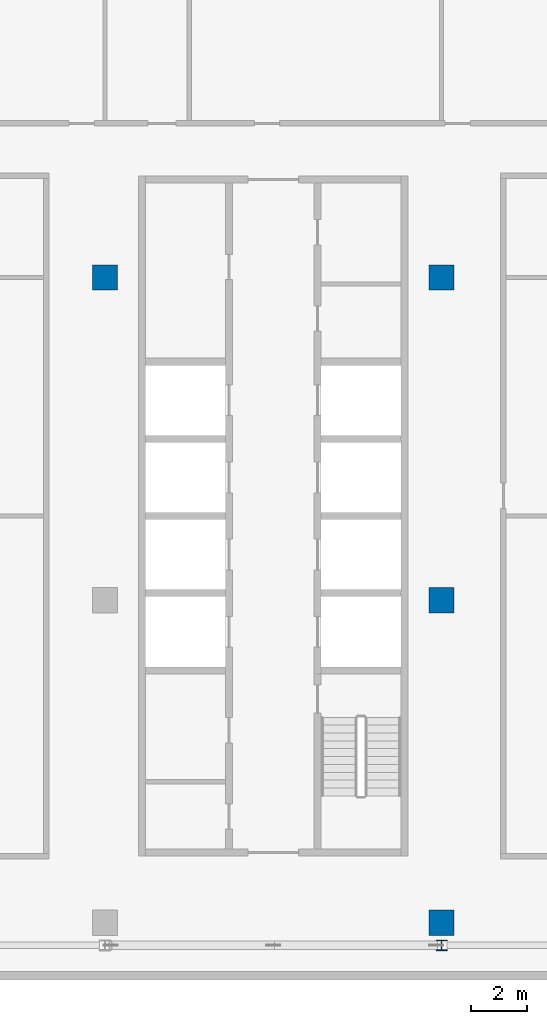
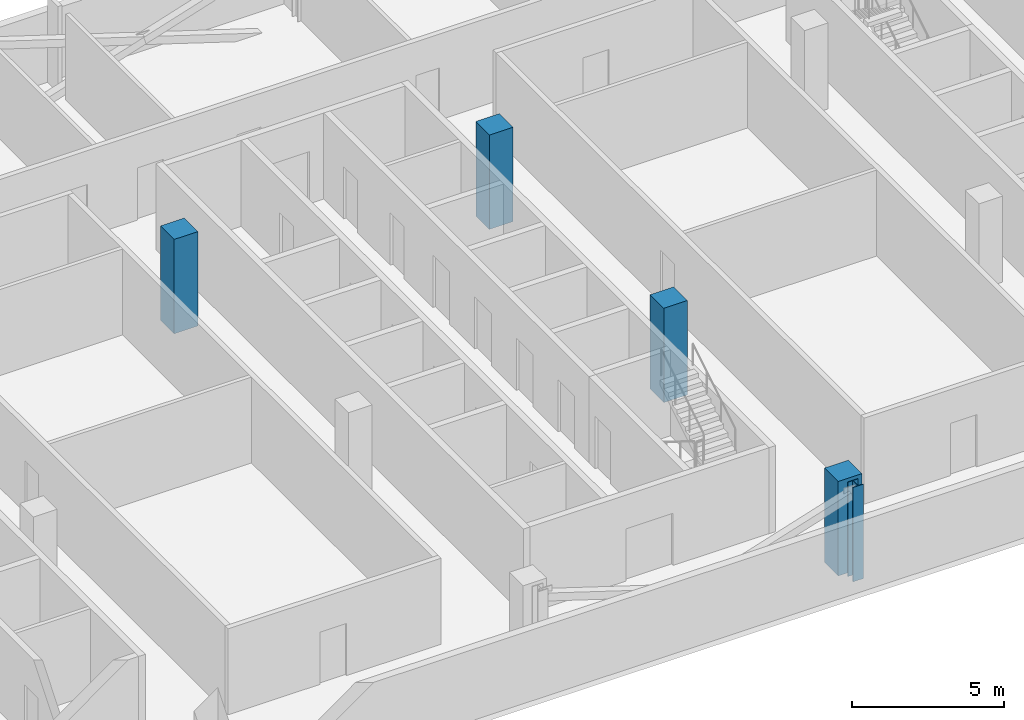
# One storey, part 2 of 28: 5 columns.
"""IFC4 building model written with IfcOpenShell, lengths in metres."""

import ifcopenshell
import ifcopenshell.guid

model = None  # the IFC model being written
_history = None  # IfcOwnerHistory: only IFC2X3 demands one
_inside = {}  # id of a spatial element -> (the spatial element, [elements in it])
_under = {}  # id of a project, library or spatial element -> (it, [spatial elements below it])
_declared = {}  # id of a project -> (the project, [libraries it declares])
_typed = {}  # id of a type object -> (the type object, [elements of that type])
_made_of = {}  # id of a material, layer set ... -> (it, [elements and type objects made of it])


def new_model(schema):
    """Start an empty IFC model of exactly this schema.

    Asked for "IFC4X3", IfcOpenShell would pick the latest addendum, in which some entities
    have other attributes; the version numbers below select the first issue.
    IFC2X3 requires an IfcOwnerHistory on every rooted entity: one is made here for all.
    """
    global model, _history
    if schema == "IFC4X3":
        model = ifcopenshell.file(schema_version=(4, 3, 0, 0))
    else:
        model = ifcopenshell.file(schema=schema)
    _inside.clear()
    _under.clear()
    _declared.clear()
    _typed.clear()
    _made_of.clear()
    _history = None
    if model.schema == "IFC2X3":
        org = make("IfcOrganization", Name="unknown")
        user = make(
            "IfcPersonAndOrganization",
            ThePerson=make("IfcPerson", FamilyName="unknown"),
            TheOrganization=org,
        )
        app = make(
            "IfcApplication",
            ApplicationDeveloper=org,
            Version="unknown",
            ApplicationFullName="unknown",
            ApplicationIdentifier="unknown",
        )
        _history = make(
            "IfcOwnerHistory",
            OwningUser=user,
            OwningApplication=app,
            ChangeAction="ADDED",
            CreationDate=0,
        )
    return model


def make(cls, **values):
    """One entity of the class cls with the attributes given. An attribute that is None is left unset."""
    return model.create_entity(
        cls, **{name: value for name, value in values.items() if value is not None}
    )


def rooted(cls, **values):
    """An entity with a GlobalId (a new one), such as an element, a storey or a relation."""
    return make(cls, GlobalId=ifcopenshell.guid.new(), OwnerHistory=_history, **values)


def si_unit(unit_type, name, prefix=None):
    """IfcSIUnit, for example si_unit("LENGTHUNIT", "METRE", prefix="MILLI")."""
    return make("IfcSIUnit", UnitType=unit_type, Prefix=prefix, Name=name)


def assignment(units):
    """IfcUnitAssignment: the units of a project."""
    return None if units is None else make("IfcUnitAssignment", Units=units)


def point(xyz):
    """IfcCartesianPoint."""
    return None if xyz is None else make("IfcCartesianPoint", Coordinates=xyz)


def direction(xyz):
    """IfcDirection."""
    return None if xyz is None else make("IfcDirection", DirectionRatios=xyz)


def frame(location, z_axis=None, x_axis=None):
    """IfcAxis2Placement3D, a coordinate frame: its origin and axes. An axis left out is left unset."""
    return make(
        "IfcAxis2Placement3D",
        Location=point(location),
        Axis=direction(z_axis),
        RefDirection=direction(x_axis),
    )


def frame_2d(location, x_axis=None):
    """IfcAxis2Placement2D, a coordinate frame in the plane: its origin and x axis."""
    return make(
        "IfcAxis2Placement2D", Location=point(location), RefDirection=direction(x_axis)
    )


def origin():
    """The frame at (0, 0, 0) with its axes left unset."""
    return frame((0.0, 0.0, 0.0))


def origin_2d():
    """The frame at (0, 0) in the plane with its x axis left unset."""
    return frame_2d((0.0, 0.0))


def place(relative_to, where):
    """IfcLocalPlacement: puts the frame where relative to a parent placement (None: the world)."""
    return make(
        "IfcLocalPlacement", PlacementRelTo=relative_to, RelativePlacement=where
    )


def context(
    kind, dimensions, precision=None, world=None, true_north=None, identifier=None
):
    """IfcGeometricRepresentationContext, for example the 3D "Model" context."""
    return make(
        "IfcGeometricRepresentationContext",
        ContextIdentifier=identifier,
        ContextType=kind,
        CoordinateSpaceDimension=dimensions,
        Precision=precision,
        WorldCoordinateSystem=world,
        TrueNorth=true_north,
    )


def subcontext(parent, identifier, kind, view, scale=None):
    """IfcGeometricRepresentationSubContext, for example "Body" below "Model"."""
    return make(
        "IfcGeometricRepresentationSubContext",
        ContextIdentifier=identifier,
        ContextType=kind,
        ParentContext=parent,
        TargetScale=scale,
        TargetView=view,
    )


def project(units=None, contexts=None):
    """IfcProject with its units and contexts."""
    return rooted(
        "IfcProject",
        Name="project",
        RepresentationContexts=contexts,
        UnitsInContext=assignment(units),
    )


def spatial(cls, under=None, at=None, **own):
    """A site, building, storey or space (cls), placed at a placement, below another one or the project."""
    s = rooted(cls, ObjectPlacement=at, **own)
    if under is not None:
        _under.setdefault(under.id(), (under, []))[1].append(s)
    return s


def profile(cls, at=None, kind="AREA", **sizes):
    """A parametric profile (cls). Its sizes go by their IFC names, for example OverallWidth=200.0."""
    return make(cls, ProfileType=kind, Position=at, **sizes)


def rectangle(**sizes):
    """IfcRectangleProfileDef."""
    return profile("IfcRectangleProfileDef", **sizes)


def i_section(**sizes):
    """IfcIShapeProfileDef."""
    return profile("IfcIShapeProfileDef", **sizes)


def extrude(swept, where, along, depth):
    """IfcExtrudedAreaSolid: the profile swept, set in the frame where, extruded along a direction by depth."""
    return make(
        "IfcExtrudedAreaSolid",
        SweptArea=swept,
        Position=where,
        ExtrudedDirection=direction(along),
        Depth=depth,
    )


def shape(context_of_items, identifier, shape_type, items):
    """IfcShapeRepresentation: the items that make up one representation, for example the "Body"."""
    return make(
        "IfcShapeRepresentation",
        ContextOfItems=context_of_items,
        RepresentationIdentifier=identifier,
        RepresentationType=shape_type,
        Items=items,
    )


def material(Name=None, Category=None):
    """IfcMaterial."""
    return make("IfcMaterial", Name=Name, Category=Category)


def material_profile(
    of_material, cross_section, Name=None, Category=None, Priority=None
):
    """IfcMaterialProfile: a cross section and its material."""
    return make(
        "IfcMaterialProfile",
        Name=Name,
        Material=of_material,
        Profile=cross_section,
        Priority=Priority,
        Category=Category,
    )


def profile_set(profiles, Name=None, composite=None):
    """IfcMaterialProfileSet."""
    return make(
        "IfcMaterialProfileSet",
        Name=Name,
        MaterialProfiles=profiles,
        CompositeProfile=composite,
    )


def made_of(thing, what):
    """Note that an element or type object is made of a material, layer set ...; save() writes the relation."""
    if what is not None:
        _made_of.setdefault(what.id(), (what, []))[1].append(thing)
    return thing


def type_object(cls, material=None, **own):
    """A type object (cls), such as IfcWallType, which elements share."""
    return made_of(rooted(cls, **own), material)


def element(
    cls,
    number,
    at=None,
    inside=None,
    cuts=None,
    type_object=None,
    material=None,
    context=None,
    identifier="Body",
    shape_type=None,
    held_by="IfcProductDefinitionShape",
    body=None,
    shapes=None,
    **own,
):
    """One element of the class cls, such as IfcWall. Its Tag is "e" and its number.

    at: its placement. inside: the storey or other place that contains it. cuts: it is an
    opening in that element (IfcRelVoidsElement). A single representation is given by context,
    identifier, shape_type and body (its items); several are given by shapes. held_by: the class
    of the entity that holds the representations. save() writes the other relations.
    """
    e = rooted(cls, Tag="e%d" % number, ObjectPlacement=at, **own)
    if body is not None:
        shapes = [shape(context, identifier, shape_type, body)]
    if shapes is not None:
        e.Representation = make(held_by, Representations=shapes)
    if inside is not None:
        _inside.setdefault(inside.id(), (inside, []))[1].append(e)
    if cuts is not None:
        rooted(
            "IfcRelVoidsElement", RelatingBuildingElement=cuts, RelatedOpeningElement=e
        )
    if type_object is not None:
        _typed.setdefault(type_object.id(), (type_object, []))[1].append(e)
    return made_of(e, material)


def aggregate(whole, parts):
    """IfcRelAggregates: a whole, such as a stair, and the parts it consists of."""
    return rooted("IfcRelAggregates", RelatingObject=whole, RelatedObjects=parts)


def save(model, path):
    """Write the relations noted so far, then the file.

    IfcRelAggregates (storeys below a building ...), IfcRelContainedInSpatialStructure (elements
    in a storey), IfcRelDefinesByType, IfcRelAssociatesMaterial and IfcRelDeclares: one each for
    every whole, place, type object, material and project.
    """
    for whole, parts in _under.values():
        aggregate(whole, parts)
    for where, things in _inside.values():
        rooted(
            "IfcRelContainedInSpatialStructure",
            RelatedElements=things,
            RelatingStructure=where,
        )
    for kind, things in _typed.values():
        rooted("IfcRelDefinesByType", RelatedObjects=things, RelatingType=kind)
    for what, things in _made_of.values():
        rooted("IfcRelAssociatesMaterial", RelatedObjects=things, RelatingMaterial=what)
    for by, libraries in _declared.values():
        rooted("IfcRelDeclares", RelatingContext=by, RelatedDefinitions=libraries)
    model.write(path)


model = new_model("IFC4")

# Units and contexts
model_context = context("Model", 3, precision=1e-05, world=origin(), true_north=direction((0.0, 1.0)))
body_context = subcontext(model_context, "Body", "Model", "MODEL_VIEW")
ifc_project = project(units=[si_unit("LENGTHUNIT", "METRE"), si_unit("AREAUNIT", "SQUARE_METRE"), si_unit("VOLUMEUNIT", "CUBIC_METRE"), si_unit("PLANEANGLEUNIT", "RADIAN"), si_unit("MASSUNIT", "GRAM", prefix="KILO")], contexts=[model_context])

# Site, building, storey
site_placement = place(None, origin())
site = spatial("IfcSite", under=ifc_project, at=site_placement, CompositionType="ELEMENT")
building_placement = place(site_placement, origin())
building = spatial("IfcBuilding", under=site, at=building_placement, Name="Mahtab Terrace Research Tower", CompositionType="ELEMENT")
storey_placement = place(building_placement, frame((0.0, 0.0, 270.89990234375)))
storey = spatial("IfcBuildingStorey", under=building, at=storey_placement, Name="L66", CompositionType="ELEMENT", Elevation=270.89990234375)

# Columns
ifc_material_1 = material(Name="Concrete C70/85", Category="concrete")
ifc_material_profile_1 = material_profile(ifc_material_1, rectangle(XDim=0.89990234375, YDim=0.89990234375, at=origin_2d()), Name="RC column 900x900")
ifc_profile_set_1 = profile_set([ifc_material_profile_1], Name="Concrete C70/85")
column_type_1 = type_object("IfcColumnType", Name="RC column 900x900", PredefinedType="COLUMN", material=ifc_profile_set_1)
for number, where, z_axis, x_axis, name in (
    (1, (-6.0, 11.5, -0.33984375), (0.0, 0.0, 1.0), (1.0, 0.0, 0.0), "Column RC-4C L66"),
    (2, (6.0, -11.5, -0.33984375), (0.0, 0.0, 1.0), (1.0, 0.0, 0.0), "Column RC-5A L66"),
    (3, (6.0, 0.0, -0.33984375), (0.0, 0.0, 1.0), (1.0, 0.0, 0.0), "Column RC-5B L66"),
    (4, (6.0, 11.5, -0.33984375), (0.0, 0.0, 1.0), (1.0, 0.0, 0.0), "Column RC-5C L66"),
):
    element("IfcColumn", number, at=place(storey_placement, frame(where, z_axis=z_axis, x_axis=x_axis)), inside=storey, type_object=column_type_1, Name=name, PredefinedType="COLUMN", context=body_context, shape_type="SweptSolid", body=[
        extrude(rectangle(XDim=0.89990234375, YDim=0.89990234375, at=origin_2d()), origin(), (0.0, 0.0, 1.0), 3.800048828125),
    ])
ifc_material_2 = material(Name="Steel ASTM A992 Gr 50", Category="steel")
ifc_material_profile_2 = material_profile(ifc_material_2, i_section(OverallWidth=0.393798828125, OverallDepth=0.3759765625, WebThickness=0.017333984375, FlangeThickness=0.027587890625, at=origin_2d()), Name="W14X145")
ifc_profile_set_2 = profile_set([ifc_material_profile_2], Name="Steel ASTM A992 Gr 50")
column_type_2 = type_object("IfcColumnType", Name="W14x145 column CS14145", PredefinedType="COLUMN", material=ifc_profile_set_2)
column_placement = place(storey_placement, frame((6.0, -12.306884765625, -0.33984375), z_axis=(0.0, 0.0, 1.0), x_axis=(1.0, 0.0, 0.0)))
element("IfcColumn", 5, at=column_placement, inside=storey, type_object=column_type_2, Name="Column SC-085 L66", PredefinedType="COLUMN", context=body_context, shape_type="SweptSolid", body=[
    extrude(i_section(OverallWidth=0.393798828125, OverallDepth=0.3759765625, WebThickness=0.017333984375, FlangeThickness=0.027587890625, at=origin_2d()), origin(), (0.0, 0.0, 1.0), 3.800048828125),
])

save(model, "model.ifc")
